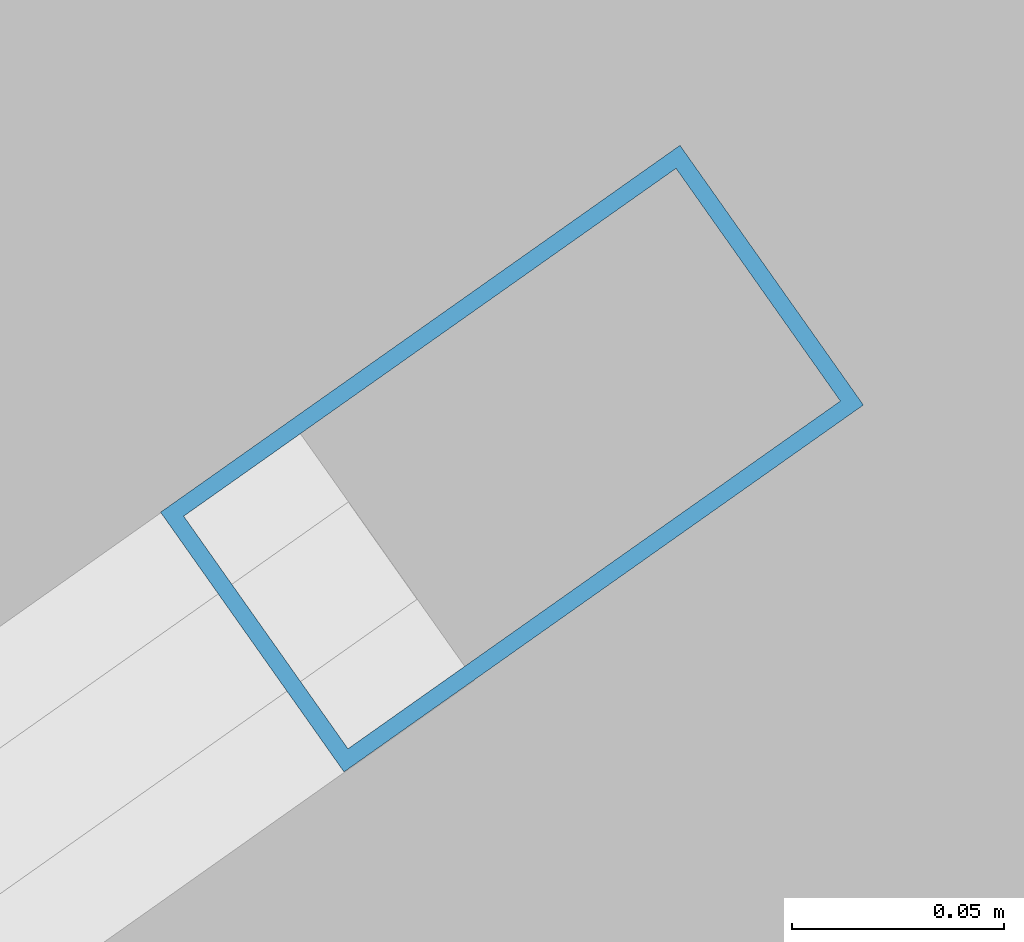
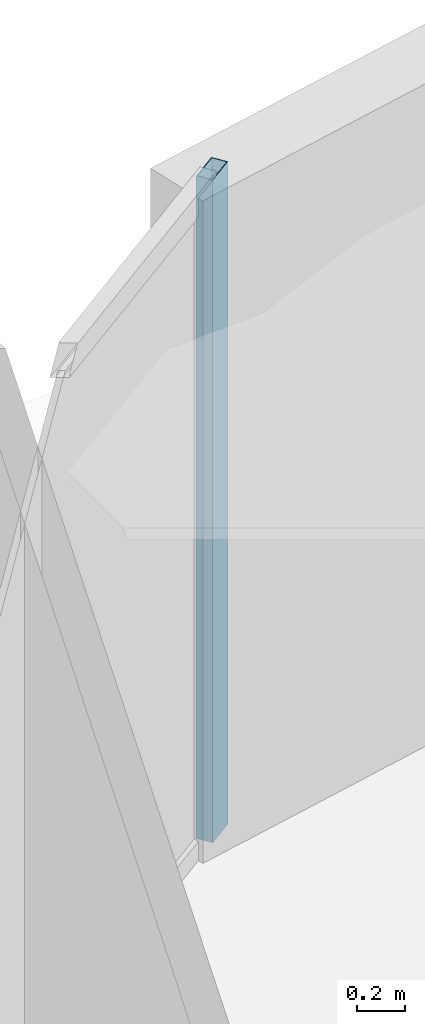
# One storey, part 17 of 32: 1 member, 1 element without a shape of its own.
"""IFC4 building model written with IfcOpenShell, lengths in metres."""

from ifc_helpers import new_model, si_unit, direction, frame, origin, origin_2d, place, context, subcontext, project, spatial, hollow_rectangle, extrude, material, layer, layer_set, material_profile, profile_set, type_object, element, aggregate, save


model = new_model("IFC4")

# Units and contexts
model_context = context("Model", 3, precision=1e-05, world=origin(), true_north=direction((0.0, 1.0)))
body_context = subcontext(model_context, "Body", "Model", "MODEL_VIEW")
ifc_project = project(units=[si_unit("LENGTHUNIT", "METRE"), si_unit("AREAUNIT", "SQUARE_METRE"), si_unit("VOLUMEUNIT", "CUBIC_METRE"), si_unit("PLANEANGLEUNIT", "RADIAN"), si_unit("MASSUNIT", "GRAM", prefix="KILO")], contexts=[model_context])

# Site, building, storey
site_placement = place(None, origin())
site = spatial("IfcSite", under=ifc_project, at=site_placement, CompositionType="ELEMENT")
building_placement = place(site_placement, origin())
building = spatial("IfcBuilding", under=site, at=building_placement, Name="Kazevale Care Tower and Concert Hall", CompositionType="ELEMENT")
storey_placement = place(building_placement, frame((0.0, 0.0, 34.800048828125)))
storey = spatial("IfcBuildingStorey", under=building, at=storey_placement, Name="L08", CompositionType="ELEMENT", Elevation=34.800048828125)

# Curtain wall, member
ifc_material_1 = material(Name="Aluminium 6063-T6 and Low-E Glass", Category="aluminium")
ifc_layer = layer(ifc_material_1, 0.179931640625)
ifc_layer_set = layer_set([ifc_layer], Name="Aluminium 6063-T6 and Low-E Glass")
curtain_wall_type = type_object("IfcCurtainWallType", Name="Convex Recessed Sunroom Curtain Wall CW-3", PredefinedType="NOTDEFINED", material=ifc_layer_set)
curtain_wall_placement = place(storey_placement, origin())
curtain_wall = element("IfcCurtainWall", 1, at=curtain_wall_placement, inside=storey, type_object=curtain_wall_type, Name="cw:L08:f14", PredefinedType="NOTDEFINED")
ifc_material_2 = material(Name="Aluminium 6063-T6", Category="aluminium")
ifc_material_profile = material_profile(ifc_material_2, hollow_rectangle(XDim=0.074951171875, YDim=0.14990234375, WallThickness=0.00390625, at=origin_2d()), Name="ALU75x150x4")
ifc_profile_set = profile_set([ifc_material_profile], Name="Aluminium 6063-T6")
member_type = type_object("IfcMemberType", Name="CW-3 Mullion ALU75x150x4", PredefinedType="MULLION", material=ifc_profile_set)
member_placement = place(storey_placement, frame((25.96435546875, 61.17041015625, 0.0), z_axis=(0.0, 0.0, 1.0), x_axis=(-0.57692895392, 0.816794332821, 0.0)))
member = element("IfcMember", 2, at=member_placement, type_object=member_type, Name="CW-3 mullion 2", PredefinedType="MULLION", context=body_context, shape_type="SweptSolid", body=[
    extrude(hollow_rectangle(XDim=0.074951171875, YDim=0.14990234375, WallThickness=0.00390625, at=origin_2d()), origin(), (0.0, 0.0, 1.0), 3.35986328125),
])
aggregate(curtain_wall, [member])

save(model, "model.ifc")
